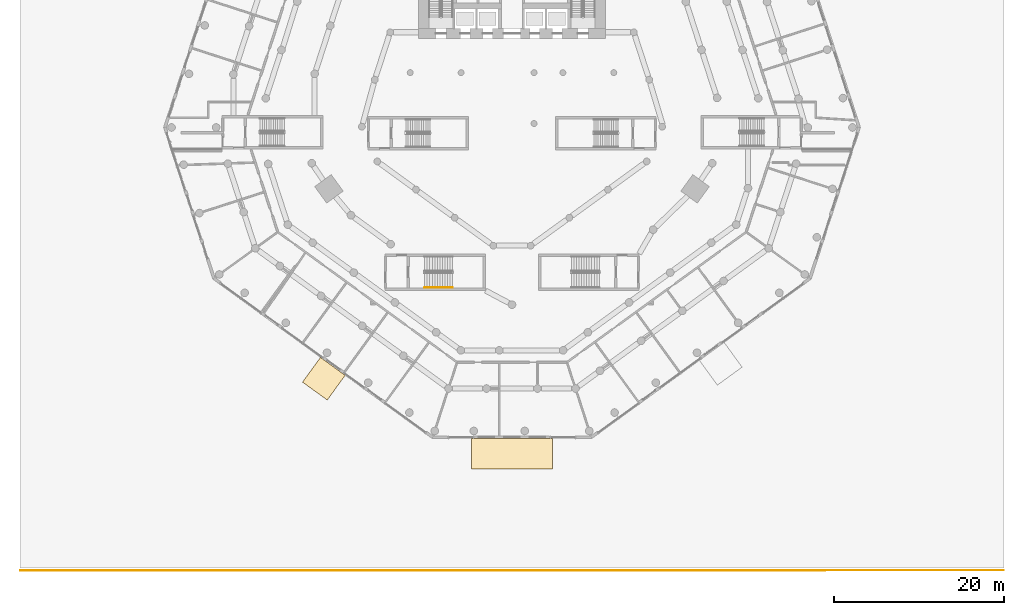
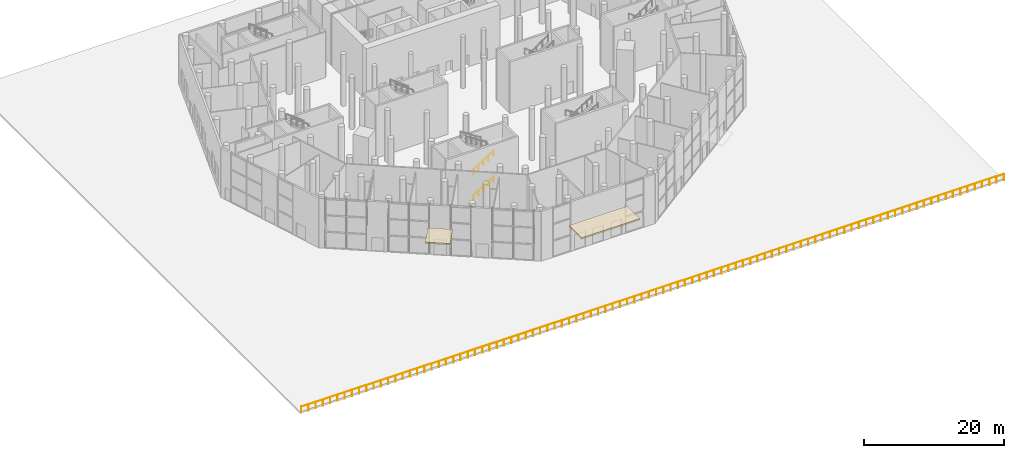
# One storey, part 19 of 25: 3 railings, 2 coverings.
"""IFC4 building model written with IfcOpenShell, lengths in metres."""

from ifc_helpers import new_model, si_unit, direction, frame, origin, origin_2d, place, context, subcontext, project, spatial, rectangle, circle, extrude, material, layer, layer_set, type_object, element, save


model = new_model("IFC4")

# Units and contexts
model_context = context("Model", 3, precision=1e-05, world=origin(), true_north=direction((0.0, 1.0)))
body_context = subcontext(model_context, "Body", "Model", "MODEL_VIEW")
ifc_project = project(units=[si_unit("LENGTHUNIT", "METRE"), si_unit("AREAUNIT", "SQUARE_METRE"), si_unit("VOLUMEUNIT", "CUBIC_METRE"), si_unit("PLANEANGLEUNIT", "RADIAN"), si_unit("MASSUNIT", "GRAM", prefix="KILO")], contexts=[model_context])

# Site, building, storey
site_placement = place(None, origin())
site = spatial("IfcSite", under=ifc_project, at=site_placement, CompositionType="ELEMENT")
building_placement = place(site_placement, origin())
building = spatial("IfcBuilding", under=site, at=building_placement, Name="White Candle Pilgrim Tower", CompositionType="ELEMENT")
storey_placement = place(building_placement, origin())
storey = spatial("IfcBuildingStorey", under=building, at=storey_placement, Name="L00", CompositionType="ELEMENT", Elevation=0.0)

# Coverings
ifc_material_1 = material(Name="Zinc standing seam on steel S355", Category="steel")
ifc_layer = layer(ifc_material_1, 0.25)
ifc_layer_set = layer_set([ifc_layer], Name="Entrance canopy CL1 250")
covering_type = type_object("IfcCoveringType", Name="Entrance canopy CL1 250", PredefinedType="ROOFING", material=ifc_layer_set)
covering_1_placement = place(storey_placement, frame((47.819580078125, 30.91943359375, 4.39990234375), z_axis=(0.0, 0.0, 1.0), x_axis=(0.809016991061, -0.587785256853, 0.0)))
element("IfcCovering", 1, at=covering_1_placement, inside=storey, type_object=covering_type, Name="Entrance canopy SW", PredefinedType="ROOFING", context=body_context, shape_type="SweptSolid", body=[
    extrude(rectangle(XDim=3.60009765625, YDim=3.60009765625, at=origin_2d()), origin(), (0.0, 0.0, 1.0), 0.25),
])
covering_2_placement = place(storey_placement, frame((70.0, 22.06103515625, 4.39990234375), z_axis=(0.0, 0.0, 1.0), x_axis=(1.0, 0.0, 0.0)))
element("IfcCovering", 2, at=covering_2_placement, inside=storey, type_object=covering_type, Name="Entrance canopy S chamfer", PredefinedType="ROOFING", context=body_context, shape_type="SweptSolid", body=[
    extrude(rectangle(XDim=9.60009765625, YDim=3.60009765625, at=origin_2d()), origin(), (0.0, 0.0, 1.0), 0.25),
])

# Railings
ifc_material_2 = material(Name="Steel S355 painted", Category="steel")
railing_type_1 = type_object("IfcRailingType", Name="Guard GD1 1100", PredefinedType="GUARDRAIL", material=ifc_material_2)
railing_placement = place(storey_placement, frame((12.050048828125, 8.300048828125, 0.0)))
element("IfcRailing", 3, at=railing_placement, inside=storey, type_object=railing_type_1, Name="River wall guard", PredefinedType="GUARDRAIL", context=body_context, shape_type="SweptSolid", body=[
    extrude(circle(Radius=0.02490234375, at=origin_2d()), frame((0.0, 0.0, 1.0751953125), z_axis=(1.0, 0.0, 0.0), x_axis=(0.0, 1.0, 0.0)), (0.0, 0.0, 1.0), 115.89990234375),
    extrude(circle(Radius=0.02490234375, at=origin_2d()), origin(), (0.0, 0.0, 1.0), 1.050048828125),
    extrude(circle(Radius=0.02490234375, at=origin_2d()), frame((1.19482421875, 0.0, 0.0)), (0.0, 0.0, 1.0), 1.050048828125),
    extrude(circle(Radius=0.02490234375, at=origin_2d()), frame((2.3896484375, 0.0, 0.0)), (0.0, 0.0, 1.0), 1.050048828125),
    extrude(circle(Radius=0.02490234375, at=origin_2d()), frame((3.58447265625, 0.0, 0.0)), (0.0, 0.0, 1.0), 1.050048828125),
    extrude(circle(Radius=0.02490234375, at=origin_2d()), frame((4.779296875, 0.0, 0.0)), (0.0, 0.0, 1.0), 1.050048828125),
    extrude(circle(Radius=0.02490234375, at=origin_2d()), frame((5.97412109375, 0.0, 0.0)), (0.0, 0.0, 1.0), 1.050048828125),
    extrude(circle(Radius=0.02490234375, at=origin_2d()), frame((7.1689453125, 0.0, 0.0)), (0.0, 0.0, 1.0), 1.050048828125),
    extrude(circle(Radius=0.02490234375, at=origin_2d()), frame((8.364013671875, 0.0, 0.0)), (0.0, 0.0, 1.0), 1.050048828125),
    extrude(circle(Radius=0.02490234375, at=origin_2d()), frame((9.558837890625, 0.0, 0.0)), (0.0, 0.0, 1.0), 1.050048828125),
    extrude(circle(Radius=0.02490234375, at=origin_2d()), frame((10.753662109375, 0.0, 0.0)), (0.0, 0.0, 1.0), 1.050048828125),
    extrude(circle(Radius=0.02490234375, at=origin_2d()), frame((11.948486328125, 0.0, 0.0)), (0.0, 0.0, 1.0), 1.050048828125),
    extrude(circle(Radius=0.02490234375, at=origin_2d()), frame((13.143310546875, 0.0, 0.0)), (0.0, 0.0, 1.0), 1.050048828125),
    extrude(circle(Radius=0.02490234375, at=origin_2d()), frame((14.338134765625, 0.0, 0.0)), (0.0, 0.0, 1.0), 1.050048828125),
    extrude(circle(Radius=0.02490234375, at=origin_2d()), frame((15.532958984375, 0.0, 0.0)), (0.0, 0.0, 1.0), 1.050048828125),
    extrude(circle(Radius=0.02490234375, at=origin_2d()), frame((16.727783203125, 0.0, 0.0)), (0.0, 0.0, 1.0), 1.050048828125),
    extrude(circle(Radius=0.02490234375, at=origin_2d()), frame((17.922607421875, 0.0, 0.0)), (0.0, 0.0, 1.0), 1.050048828125),
    extrude(circle(Radius=0.02490234375, at=origin_2d()), frame((19.117431640625, 0.0, 0.0)), (0.0, 0.0, 1.0), 1.050048828125),
    extrude(circle(Radius=0.02490234375, at=origin_2d()), frame((20.312255859375, 0.0, 0.0)), (0.0, 0.0, 1.0), 1.050048828125),
    extrude(circle(Radius=0.02490234375, at=origin_2d()), frame((21.507080078125, 0.0, 0.0)), (0.0, 0.0, 1.0), 1.050048828125),
    extrude(circle(Radius=0.02490234375, at=origin_2d()), frame((22.7021484375, 0.0, 0.0)), (0.0, 0.0, 1.0), 1.050048828125),
    extrude(circle(Radius=0.02490234375, at=origin_2d()), frame((23.89697265625, 0.0, 0.0)), (0.0, 0.0, 1.0), 1.050048828125),
    extrude(circle(Radius=0.02490234375, at=origin_2d()), frame((25.091796875, 0.0, 0.0)), (0.0, 0.0, 1.0), 1.050048828125),
    extrude(circle(Radius=0.02490234375, at=origin_2d()), frame((26.28662109375, 0.0, 0.0)), (0.0, 0.0, 1.0), 1.050048828125),
    extrude(circle(Radius=0.02490234375, at=origin_2d()), frame((27.4814453125, 0.0, 0.0)), (0.0, 0.0, 1.0), 1.050048828125),
    extrude(circle(Radius=0.02490234375, at=origin_2d()), frame((28.67626953125, 0.0, 0.0)), (0.0, 0.0, 1.0), 1.050048828125),
    extrude(circle(Radius=0.02490234375, at=origin_2d()), frame((29.87109375, 0.0, 0.0)), (0.0, 0.0, 1.0), 1.050048828125),
    extrude(circle(Radius=0.02490234375, at=origin_2d()), frame((31.06591796875, 0.0, 0.0)), (0.0, 0.0, 1.0), 1.050048828125),
    extrude(circle(Radius=0.02490234375, at=origin_2d()), frame((32.2607421875, 0.0, 0.0)), (0.0, 0.0, 1.0), 1.050048828125),
    extrude(circle(Radius=0.02490234375, at=origin_2d()), frame((33.45556640625, 0.0, 0.0)), (0.0, 0.0, 1.0), 1.050048828125),
    extrude(circle(Radius=0.02490234375, at=origin_2d()), frame((34.650390625, 0.0, 0.0)), (0.0, 0.0, 1.0), 1.050048828125),
    extrude(circle(Radius=0.02490234375, at=origin_2d()), frame((35.84521484375, 0.0, 0.0)), (0.0, 0.0, 1.0), 1.050048828125),
    extrude(circle(Radius=0.02490234375, at=origin_2d()), frame((37.040283203125, 0.0, 0.0)), (0.0, 0.0, 1.0), 1.050048828125),
    extrude(circle(Radius=0.02490234375, at=origin_2d()), frame((38.235107421875, 0.0, 0.0)), (0.0, 0.0, 1.0), 1.050048828125),
    extrude(circle(Radius=0.02490234375, at=origin_2d()), frame((39.429931640625, 0.0, 0.0)), (0.0, 0.0, 1.0), 1.050048828125),
    extrude(circle(Radius=0.02490234375, at=origin_2d()), frame((40.624755859375, 0.0, 0.0)), (0.0, 0.0, 1.0), 1.050048828125),
    extrude(circle(Radius=0.02490234375, at=origin_2d()), frame((41.819580078125, 0.0, 0.0)), (0.0, 0.0, 1.0), 1.050048828125),
    extrude(circle(Radius=0.02490234375, at=origin_2d()), frame((43.014404296875, 0.0, 0.0)), (0.0, 0.0, 1.0), 1.050048828125),
    extrude(circle(Radius=0.02490234375, at=origin_2d()), frame((44.209228515625, 0.0, 0.0)), (0.0, 0.0, 1.0), 1.050048828125),
    extrude(circle(Radius=0.02490234375, at=origin_2d()), frame((45.404052734375, 0.0, 0.0)), (0.0, 0.0, 1.0), 1.050048828125),
    extrude(circle(Radius=0.02490234375, at=origin_2d()), frame((46.598876953125, 0.0, 0.0)), (0.0, 0.0, 1.0), 1.050048828125),
    extrude(circle(Radius=0.02490234375, at=origin_2d()), frame((47.793701171875, 0.0, 0.0)), (0.0, 0.0, 1.0), 1.050048828125),
    extrude(circle(Radius=0.02490234375, at=origin_2d()), frame((48.988525390625, 0.0, 0.0)), (0.0, 0.0, 1.0), 1.050048828125),
    extrude(circle(Radius=0.02490234375, at=origin_2d()), frame((50.183349609375, 0.0, 0.0)), (0.0, 0.0, 1.0), 1.050048828125),
    extrude(circle(Radius=0.02490234375, at=origin_2d()), frame((51.37841796875, 0.0, 0.0)), (0.0, 0.0, 1.0), 1.050048828125),
    extrude(circle(Radius=0.02490234375, at=origin_2d()), frame((52.5732421875, 0.0, 0.0)), (0.0, 0.0, 1.0), 1.050048828125),
    extrude(circle(Radius=0.02490234375, at=origin_2d()), frame((53.76806640625, 0.0, 0.0)), (0.0, 0.0, 1.0), 1.050048828125),
    extrude(circle(Radius=0.02490234375, at=origin_2d()), frame((54.962890625, 0.0, 0.0)), (0.0, 0.0, 1.0), 1.050048828125),
    extrude(circle(Radius=0.02490234375, at=origin_2d()), frame((56.15771484375, 0.0, 0.0)), (0.0, 0.0, 1.0), 1.050048828125),
    extrude(circle(Radius=0.02490234375, at=origin_2d()), frame((57.3525390625, 0.0, 0.0)), (0.0, 0.0, 1.0), 1.050048828125),
    extrude(circle(Radius=0.02490234375, at=origin_2d()), frame((58.54736328125, 0.0, 0.0)), (0.0, 0.0, 1.0), 1.050048828125),
    extrude(circle(Radius=0.02490234375, at=origin_2d()), frame((59.7421875, 0.0, 0.0)), (0.0, 0.0, 1.0), 1.050048828125),
    extrude(circle(Radius=0.02490234375, at=origin_2d()), frame((60.93701171875, 0.0, 0.0)), (0.0, 0.0, 1.0), 1.050048828125),
    extrude(circle(Radius=0.02490234375, at=origin_2d()), frame((62.1318359375, 0.0, 0.0)), (0.0, 0.0, 1.0), 1.050048828125),
    extrude(circle(Radius=0.02490234375, at=origin_2d()), frame((63.32666015625, 0.0, 0.0)), (0.0, 0.0, 1.0), 1.050048828125),
    extrude(circle(Radius=0.02490234375, at=origin_2d()), frame((64.521484375, 0.0, 0.0)), (0.0, 0.0, 1.0), 1.050048828125),
    extrude(circle(Radius=0.02490234375, at=origin_2d()), frame((65.716552734375, 0.0, 0.0)), (0.0, 0.0, 1.0), 1.050048828125),
    extrude(circle(Radius=0.02490234375, at=origin_2d()), frame((66.911376953125, 0.0, 0.0)), (0.0, 0.0, 1.0), 1.050048828125),
    extrude(circle(Radius=0.02490234375, at=origin_2d()), frame((68.106201171875, 0.0, 0.0)), (0.0, 0.0, 1.0), 1.050048828125),
    extrude(circle(Radius=0.02490234375, at=origin_2d()), frame((69.301025390625, 0.0, 0.0)), (0.0, 0.0, 1.0), 1.050048828125),
    extrude(circle(Radius=0.02490234375, at=origin_2d()), frame((70.495849609375, 0.0, 0.0)), (0.0, 0.0, 1.0), 1.050048828125),
    extrude(circle(Radius=0.02490234375, at=origin_2d()), frame((71.690673828125, 0.0, 0.0)), (0.0, 0.0, 1.0), 1.050048828125),
    extrude(circle(Radius=0.02490234375, at=origin_2d()), frame((72.885498046875, 0.0, 0.0)), (0.0, 0.0, 1.0), 1.050048828125),
    extrude(circle(Radius=0.02490234375, at=origin_2d()), frame((74.080322265625, 0.0, 0.0)), (0.0, 0.0, 1.0), 1.050048828125),
    extrude(circle(Radius=0.02490234375, at=origin_2d()), frame((75.275146484375, 0.0, 0.0)), (0.0, 0.0, 1.0), 1.050048828125),
    extrude(circle(Radius=0.02490234375, at=origin_2d()), frame((76.469970703125, 0.0, 0.0)), (0.0, 0.0, 1.0), 1.050048828125),
    extrude(circle(Radius=0.02490234375, at=origin_2d()), frame((77.664794921875, 0.0, 0.0)), (0.0, 0.0, 1.0), 1.050048828125),
    extrude(circle(Radius=0.02490234375, at=origin_2d()), frame((78.859619140625, 0.0, 0.0)), (0.0, 0.0, 1.0), 1.050048828125),
    extrude(circle(Radius=0.02490234375, at=origin_2d()), frame((80.0546875, 0.0, 0.0)), (0.0, 0.0, 1.0), 1.050048828125),
    extrude(circle(Radius=0.02490234375, at=origin_2d()), frame((81.24951171875, 0.0, 0.0)), (0.0, 0.0, 1.0), 1.050048828125),
    extrude(circle(Radius=0.02490234375, at=origin_2d()), frame((82.4443359375, 0.0, 0.0)), (0.0, 0.0, 1.0), 1.050048828125),
    extrude(circle(Radius=0.02490234375, at=origin_2d()), frame((83.63916015625, 0.0, 0.0)), (0.0, 0.0, 1.0), 1.050048828125),
    extrude(circle(Radius=0.02490234375, at=origin_2d()), frame((84.833984375, 0.0, 0.0)), (0.0, 0.0, 1.0), 1.050048828125),
    extrude(circle(Radius=0.02490234375, at=origin_2d()), frame((86.02880859375, 0.0, 0.0)), (0.0, 0.0, 1.0), 1.050048828125),
    extrude(circle(Radius=0.02490234375, at=origin_2d()), frame((87.2236328125, 0.0, 0.0)), (0.0, 0.0, 1.0), 1.050048828125),
    extrude(circle(Radius=0.02490234375, at=origin_2d()), frame((88.41845703125, 0.0, 0.0)), (0.0, 0.0, 1.0), 1.050048828125),
    extrude(circle(Radius=0.02490234375, at=origin_2d()), frame((89.61328125, 0.0, 0.0)), (0.0, 0.0, 1.0), 1.050048828125),
    extrude(circle(Radius=0.02490234375, at=origin_2d()), frame((90.80810546875, 0.0, 0.0)), (0.0, 0.0, 1.0), 1.050048828125),
    extrude(circle(Radius=0.02490234375, at=origin_2d()), frame((92.0029296875, 0.0, 0.0)), (0.0, 0.0, 1.0), 1.050048828125),
    extrude(circle(Radius=0.02490234375, at=origin_2d()), frame((93.19775390625, 0.0, 0.0)), (0.0, 0.0, 1.0), 1.050048828125),
    extrude(circle(Radius=0.02490234375, at=origin_2d()), frame((94.392822265625, 0.0, 0.0)), (0.0, 0.0, 1.0), 1.050048828125),
    extrude(circle(Radius=0.02490234375, at=origin_2d()), frame((95.587646484375, 0.0, 0.0)), (0.0, 0.0, 1.0), 1.050048828125),
    extrude(circle(Radius=0.02490234375, at=origin_2d()), frame((96.782470703125, 0.0, 0.0)), (0.0, 0.0, 1.0), 1.050048828125),
    extrude(circle(Radius=0.02490234375, at=origin_2d()), frame((97.977294921875, 0.0, 0.0)), (0.0, 0.0, 1.0), 1.050048828125),
    extrude(circle(Radius=0.02490234375, at=origin_2d()), frame((99.172119140625, 0.0, 0.0)), (0.0, 0.0, 1.0), 1.050048828125),
    extrude(circle(Radius=0.02490234375, at=origin_2d()), frame((100.366943359375, 0.0, 0.0)), (0.0, 0.0, 1.0), 1.050048828125),
    extrude(circle(Radius=0.02490234375, at=origin_2d()), frame((101.561767578125, 0.0, 0.0)), (0.0, 0.0, 1.0), 1.050048828125),
    extrude(circle(Radius=0.02490234375, at=origin_2d()), frame((102.756591796875, 0.0, 0.0)), (0.0, 0.0, 1.0), 1.050048828125),
    extrude(circle(Radius=0.02490234375, at=origin_2d()), frame((103.951416015625, 0.0, 0.0)), (0.0, 0.0, 1.0), 1.050048828125),
    extrude(circle(Radius=0.02490234375, at=origin_2d()), frame((105.146240234375, 0.0, 0.0)), (0.0, 0.0, 1.0), 1.050048828125),
    extrude(circle(Radius=0.02490234375, at=origin_2d()), frame((106.341064453125, 0.0, 0.0)), (0.0, 0.0, 1.0), 1.050048828125),
    extrude(circle(Radius=0.02490234375, at=origin_2d()), frame((107.535888671875, 0.0, 0.0)), (0.0, 0.0, 1.0), 1.050048828125),
    extrude(circle(Radius=0.02490234375, at=origin_2d()), frame((108.73095703125, 0.0, 0.0)), (0.0, 0.0, 1.0), 1.050048828125),
    extrude(circle(Radius=0.02490234375, at=origin_2d()), frame((109.92578125, 0.0, 0.0)), (0.0, 0.0, 1.0), 1.050048828125),
    extrude(circle(Radius=0.02490234375, at=origin_2d()), frame((111.12060546875, 0.0, 0.0)), (0.0, 0.0, 1.0), 1.050048828125),
    extrude(circle(Radius=0.02490234375, at=origin_2d()), frame((112.3154296875, 0.0, 0.0)), (0.0, 0.0, 1.0), 1.050048828125),
    extrude(circle(Radius=0.02490234375, at=origin_2d()), frame((113.51025390625, 0.0, 0.0)), (0.0, 0.0, 1.0), 1.050048828125),
    extrude(circle(Radius=0.02490234375, at=origin_2d()), frame((114.705078125, 0.0, 0.0)), (0.0, 0.0, 1.0), 1.050048828125),
    extrude(circle(Radius=0.02490234375, at=origin_2d()), frame((115.89990234375, 0.0, 0.0)), (0.0, 0.0, 1.0), 1.050048828125),
])
ifc_material_3 = material(Name="Stainless steel", Category="steel")
railing_type_2 = type_object("IfcRailingType", Name="Stair handrail stainless steel", PredefinedType="HANDRAIL", material=ifc_material_3)
for number, where, name in (
    (4, (59.699951171875, 41.64990234375, 0.1875), "L00 ST6 stair handrail 1"),
    (5, (59.699951171875, 41.64990234375, 4.6875), "L00 ST6 stair handrail 3"),
):
    element("IfcRailing", number, at=place(storey_placement, frame(where)), inside=storey, type_object=railing_type_2, Name=name, PredefinedType="HANDRAIL", context=body_context, shape_type="SweptSolid", body=[
        extrude(circle(Radius=0.02392578125, at=origin_2d()), frame((0.0, 0.0, 0.8759765625), z_axis=(0.848001828478, 0.0, 0.529993300805), x_axis=(0.0, 1.0, 0.0)), (0.0, 0.0, 1.0), 3.8916015625),
        extrude(circle(Radius=0.02099609375, at=origin_2d()), origin(), (0.0, 0.0, 1.0), 0.851806640625),
        extrude(circle(Radius=0.02099609375, at=origin_2d()), frame((0.824951171875, 0.0, 0.515625)), (0.0, 0.0, 1.0), 0.851806640625),
        extrude(circle(Radius=0.02099609375, at=origin_2d()), frame((1.64990234375, 0.0, 1.03125)), (0.0, 0.0, 1.0), 0.851806640625),
        extrude(circle(Radius=0.02099609375, at=origin_2d()), frame((2.47509765625, 0.0, 1.546875)), (0.0, 0.0, 1.0), 0.851806640625),
        extrude(circle(Radius=0.02099609375, at=origin_2d()), frame((3.300048828125, 0.0, 2.0625)), (0.0, 0.0, 1.0), 0.851806640625),
    ])

save(model, "model.ifc")
